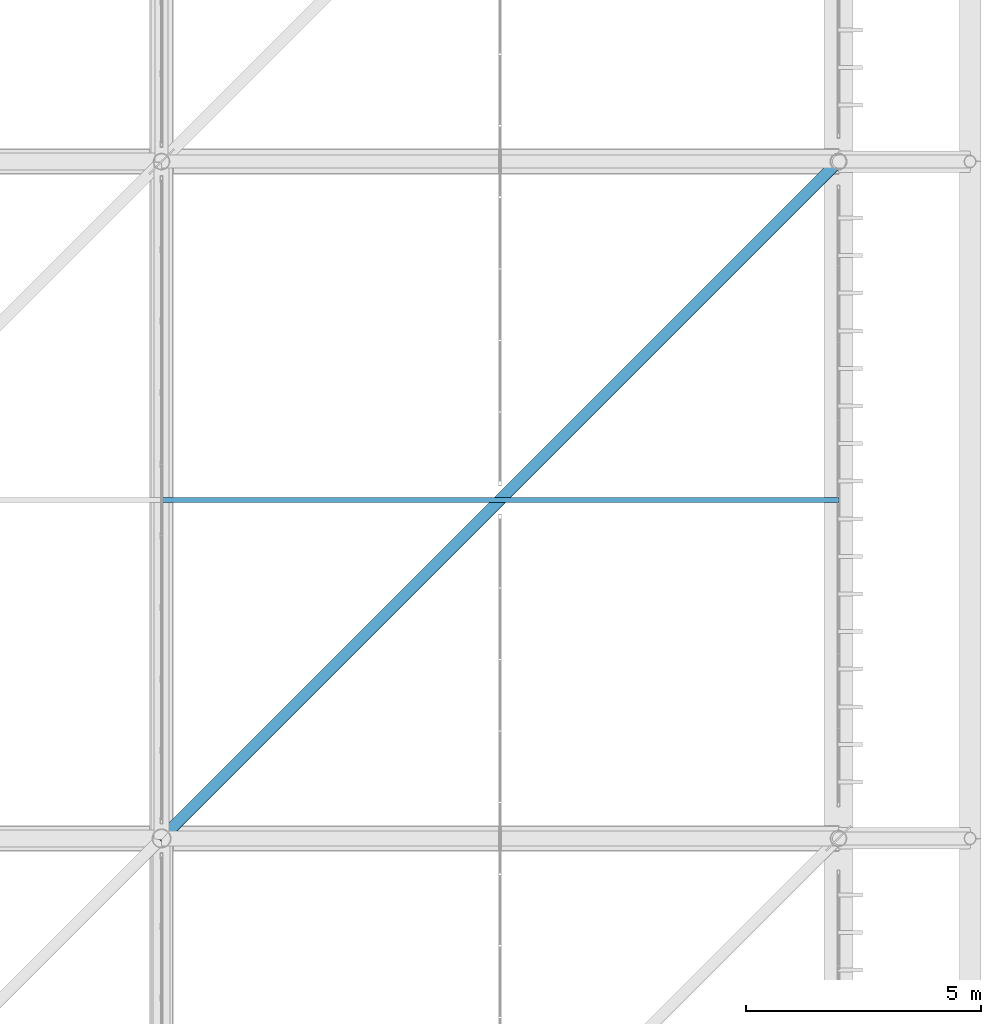
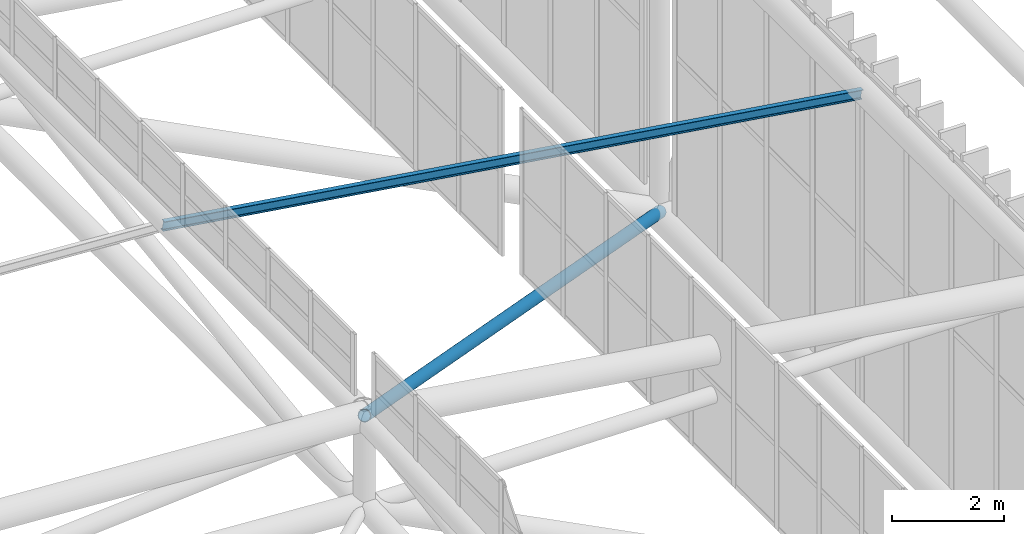
# One storey, part 270 of 397: 2 members.
"""IFC4 building model written with IfcOpenShell, lengths in metres."""

from ifc_helpers import new_model, si_unit, direction, frame, origin, origin_2d, place, context, subcontext, project, spatial, hollow_circle, i_section, extrude, material, material_profile, profile_set, type_object, element, save


model = new_model("IFC4")

# Units and contexts
model_context = context("Model", 3, precision=1e-05, world=origin(), true_north=direction((0.0, 1.0)))
body_context = subcontext(model_context, "Body", "Model", "MODEL_VIEW")
ifc_project = project(units=[si_unit("LENGTHUNIT", "METRE"), si_unit("AREAUNIT", "SQUARE_METRE"), si_unit("VOLUMEUNIT", "CUBIC_METRE"), si_unit("PLANEANGLEUNIT", "RADIAN"), si_unit("MASSUNIT", "GRAM", prefix="KILO")], contexts=[model_context])

# Site, building, storey
site_placement = place(None, origin())
site = spatial("IfcSite", under=ifc_project, at=site_placement, CompositionType="ELEMENT")
building_placement = place(site_placement, origin())
building = spatial("IfcBuilding", under=site, at=building_placement, Name="Qandorah Velis Arena", CompositionType="ELEMENT")
storey_placement = place(building_placement, frame((0.0, 0.0, 27.5)))
storey = spatial("IfcBuildingStorey", under=building, at=storey_placement, Name="RF", CompositionType="ELEMENT", Elevation=27.5)

# Members
ifc_material = material(Name="Steel S355", Category="steel")
ifc_material_profile_1 = material_profile(ifc_material, i_section(OverallWidth=0.10009765625, OverallDepth=0.199951171875, WebThickness=0.005615234375, FlangeThickness=0.008544921875, FilletRadius=0.011962890625, at=origin_2d()), Name="IPE 200")
ifc_profile_set_1 = profile_set([ifc_material_profile_1], Name="Steel S355")
member_type_1 = type_object("IfcMemberType", Name="STR-PRL-IPE200", PredefinedType="PURLIN", material=ifc_profile_set_1)
member_1_placement = place(storey_placement, frame((100.800048828125, 64.800048828125, 9.213134765625), z_axis=(0.98891001954, 0.0, -0.148515902361), x_axis=(0.0, 1.0, 0.0)))
element("IfcMember", 1, at=member_1_placement, inside=storey, type_object=member_type_1, Name="Arena roof purlin PRL-6.3", PredefinedType="PURLIN", context=body_context, shape_type="SweptSolid", body=[
    extrude(i_section(OverallWidth=0.10009765625, OverallDepth=0.199951171875, WebThickness=0.005615234375, FlangeThickness=0.008544921875, FilletRadius=0.011962890625, at=origin_2d()), origin(), (0.0, 0.0, 1.0), 14.561279296875),
])
ifc_material_profile_2 = material_profile(ifc_material, hollow_circle(Radius=0.122314453125, WallThickness=0.012451171875, at=origin_2d()), Name="CHS 244.5x12.5")
ifc_profile_set_2 = profile_set([ifc_material_profile_2], Name="Steel S355")
member_type_2 = type_object("IfcMemberType", Name="STR-SFD-CHS244X12", PredefinedType="STRUT", material=ifc_profile_set_2)
member_2_placement = place(storey_placement, frame((115.199951171875, 72.0, 0.10009765625), z_axis=(-0.64281472876, -0.64281472876, 0.416627470263), x_axis=(0.707106781187, -0.707106781187, 0.0)))
element("IfcMember", 2, at=member_2_placement, inside=storey, type_object=member_type_2, Name="Space frame roof spatial diagonal 6.3", PredefinedType="STRUT", context=body_context, shape_type="SweptSolid", body=[
    extrude(hollow_circle(Radius=0.122314453125, WallThickness=0.012451171875, at=origin_2d()), origin(), (0.0, 0.0, 1.0), 22.4013671875),
])

save(model, "model.ifc")
